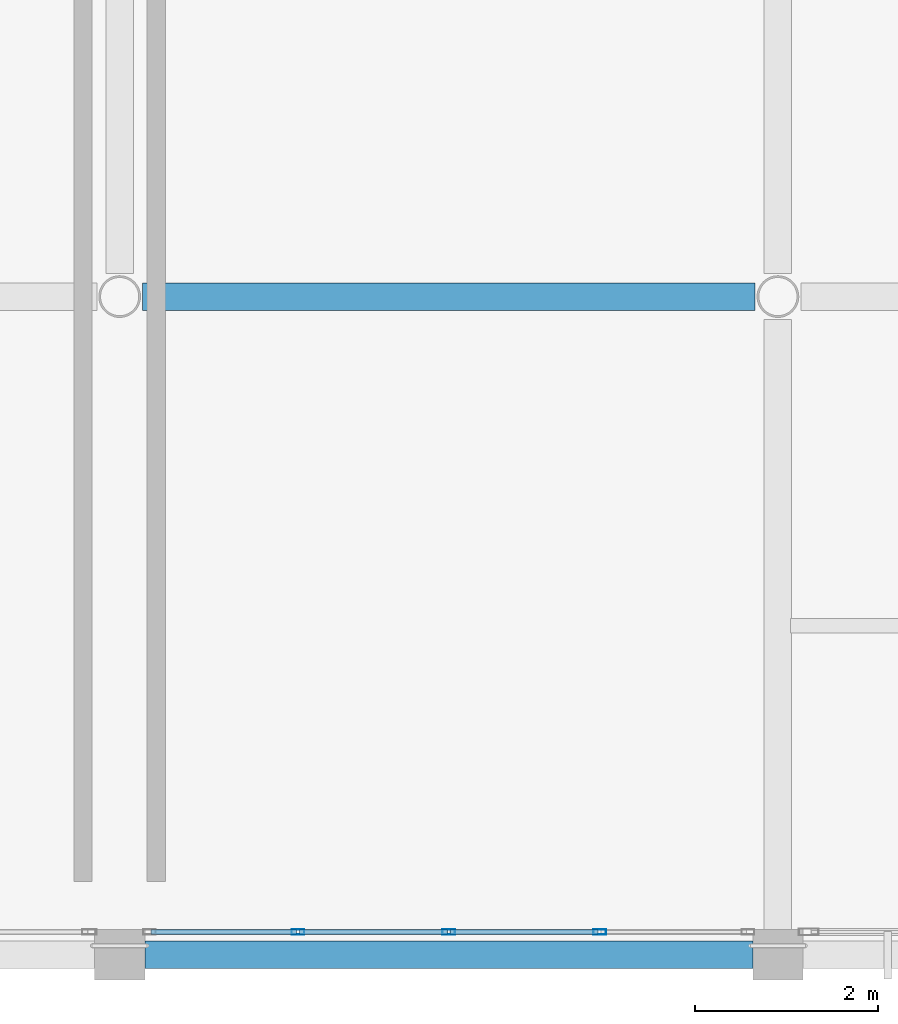
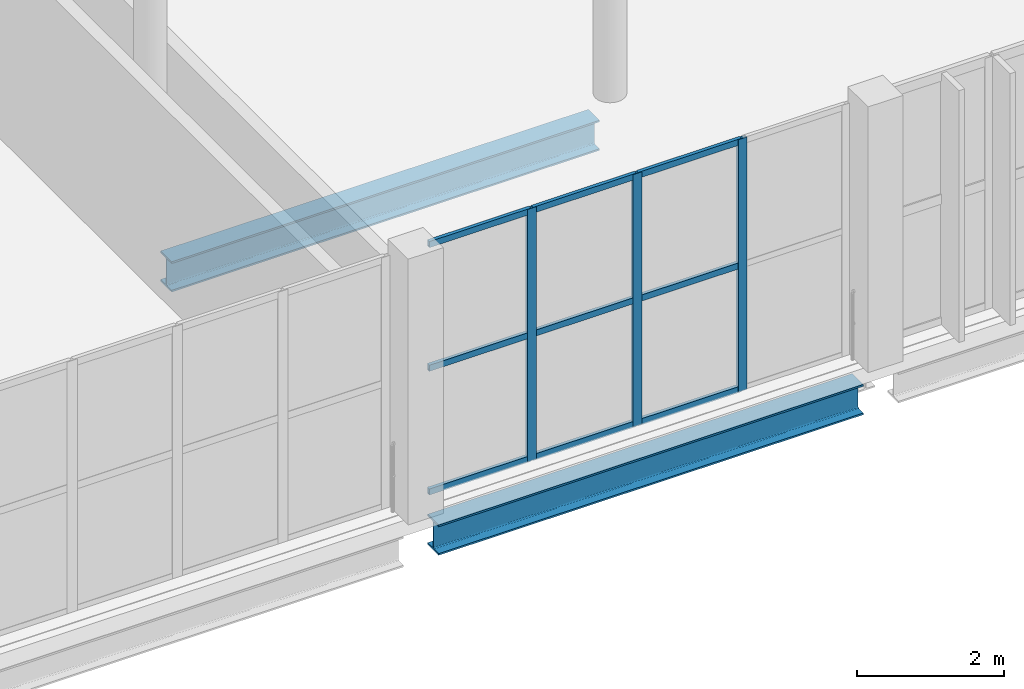
# One storey, part 20 of 81: 12 members, 2 beams, 1 element without a shape of its own.
"""IFC4 building model written with IfcOpenShell, lengths in metres."""

from ifc_helpers import new_model, si_unit, direction, frame, origin, origin_2d, place, context, subcontext, project, spatial, hollow_rectangle, i_section, extrude, material, material_profile, profile_set, type_object, element, aggregate, save


model = new_model("IFC4")

# Units and contexts
model_context = context("Model", 3, precision=1e-05, world=origin(), true_north=direction((0.0, 1.0)))
body_context = subcontext(model_context, "Body", "Model", "MODEL_VIEW")
ifc_project = project(units=[si_unit("LENGTHUNIT", "METRE"), si_unit("AREAUNIT", "SQUARE_METRE"), si_unit("VOLUMEUNIT", "CUBIC_METRE"), si_unit("PLANEANGLEUNIT", "RADIAN"), si_unit("MASSUNIT", "GRAM", prefix="KILO")], contexts=[model_context])

# Site, building, storey
site_placement = place(None, origin())
site = spatial("IfcSite", under=ifc_project, at=site_placement, CompositionType="ELEMENT")
building_placement = place(site_placement, origin())
building = spatial("IfcBuilding", under=site, at=building_placement, Name="Qandorah Velis Arena", CompositionType="ELEMENT")
storey_placement = place(building_placement, frame((0.0, 0.0, 18.60009765625)))
storey = spatial("IfcBuildingStorey", under=building, at=storey_placement, Name="L04", CompositionType="ELEMENT", Elevation=18.60009765625)

# Curtain wall, members
ifc_material_1 = material(Name="Solar-control low-E double glazing", Category="glass")
curtain_wall_type = type_object("IfcCurtainWallType", Name="ARC-CW-SYS04", PredefinedType="USERDEFINED", material=ifc_material_1)
curtain_wall_placement = place(storey_placement, origin())
curtain_wall = element("IfcCurtainWall", 1, at=curtain_wall_placement, inside=storey, type_object=curtain_wall_type, Name="Unitised curtain wall L04-076", ObjectType="UNITISED CURTAIN WALL", PredefinedType="USERDEFINED")
ifc_material_2 = material(Name="Champagne-bronze anodized aluminium 6063-T6", Category="aluminium")
ifc_material_profile_1 = material_profile(ifc_material_2, hollow_rectangle(XDim=0.054931640625, YDim=0.139892578125, WallThickness=0.0029296875, at=origin_2d()), Name="ALU MULLION 55x140")
ifc_profile_set_1 = profile_set([ifc_material_profile_1], Name="Champagne-bronze anodized aluminium 6063-T6")
member_type_1 = type_object("IfcMemberType", Name="ARC-CWM-140", PredefinedType="MULLION", material=ifc_profile_set_1)
member_1_placement = place(storey_placement, frame((59.550048828125, 0.25, -0.01513671875), z_axis=(0.0, 0.0, 1.0), x_axis=(0.0, 1.0, 0.0)))
member_1 = element("IfcMember", 2, at=member_1_placement, type_object=member_type_1, Name="CW04 mullion 2", PredefinedType="MULLION", context=body_context, shape_type="SweptSolid", body=[
    extrude(hollow_rectangle(XDim=0.054931640625, YDim=0.139892578125, WallThickness=0.0029296875, at=origin_2d()), origin(), (0.0, 0.0, 1.0), 4.179931640625),
])
member_2_placement = place(storey_placement, frame((61.199951171875, 0.25, -0.01513671875), z_axis=(0.0, 0.0, 1.0), x_axis=(0.0, 1.0, 0.0)))
member_2 = element("IfcMember", 3, at=member_2_placement, type_object=member_type_1, Name="CW04 mullion 3", PredefinedType="MULLION", context=body_context, shape_type="SweptSolid", body=[
    extrude(hollow_rectangle(XDim=0.054931640625, YDim=0.139892578125, WallThickness=0.0029296875, at=origin_2d()), origin(), (0.0, 0.0, 1.0), 4.179931640625),
])
member_3_placement = place(storey_placement, frame((62.85009765625, 0.25, -0.01513671875), z_axis=(0.0, 0.0, 1.0), x_axis=(0.0, 1.0, 0.0)))
member_3 = element("IfcMember", 4, at=member_3_placement, type_object=member_type_1, Name="CW04 mullion 4", PredefinedType="MULLION", context=body_context, shape_type="SweptSolid", body=[
    extrude(hollow_rectangle(XDim=0.054931640625, YDim=0.139892578125, WallThickness=0.0029296875, at=origin_2d()), origin(), (0.0, 0.0, 1.0), 4.179931640625),
])
ifc_material_profile_2 = material_profile(ifc_material_2, hollow_rectangle(XDim=0.054931640625, YDim=0.10009765625, WallThickness=0.0029296875, at=origin_2d()), Name="ALU TRANSOM 55x100")
ifc_profile_set_2 = profile_set([ifc_material_profile_2], Name="Champagne-bronze anodized aluminium 6063-T6")
member_type_2 = type_object("IfcMemberType", Name="ARC-CWT-100", PredefinedType="USERDEFINED", material=ifc_profile_set_2)
member_4_placement = place(storey_placement, frame((57.943115234375, 0.25, 0.02734375), z_axis=(1.0, 0.0, 0.0), x_axis=(0.0, 1.0, 0.0)))
member_4 = element("IfcMember", 5, at=member_4_placement, type_object=member_type_2, Name="CW04 transom 1.1", ObjectType="TRANSOM", PredefinedType="USERDEFINED", context=body_context, shape_type="SweptSolid", body=[
    extrude(hollow_rectangle(XDim=0.054931640625, YDim=0.10009765625, WallThickness=0.0029296875, at=origin_2d()), origin(), (0.0, 0.0, 1.0), 1.59130859375),
])
member_5_placement = place(storey_placement, frame((57.943115234375, 0.25, 2.074951171875), z_axis=(1.0, 0.0, 0.0), x_axis=(0.0, 1.0, 0.0)))
member_5 = element("IfcMember", 6, at=member_5_placement, type_object=member_type_2, Name="CW04 transom 1.2", ObjectType="TRANSOM", PredefinedType="USERDEFINED", context=body_context, shape_type="SweptSolid", body=[
    extrude(hollow_rectangle(XDim=0.054931640625, YDim=0.10009765625, WallThickness=0.0029296875, at=origin_2d()), origin(), (0.0, 0.0, 1.0), 1.59130859375),
])
member_6_placement = place(storey_placement, frame((57.943115234375, 0.25, 4.122314453125), z_axis=(1.0, 0.0, 0.0), x_axis=(0.0, 1.0, 0.0)))
member_6 = element("IfcMember", 7, at=member_6_placement, type_object=member_type_2, Name="CW04 transom 1.3", ObjectType="TRANSOM", PredefinedType="USERDEFINED", context=body_context, shape_type="SweptSolid", body=[
    extrude(hollow_rectangle(XDim=0.054931640625, YDim=0.10009765625, WallThickness=0.0029296875, at=origin_2d()), origin(), (0.0, 0.0, 1.0), 1.59130859375),
])
member_7_placement = place(storey_placement, frame((59.5654296875, 0.25, 0.02734375), z_axis=(1.0, 0.0, 0.0), x_axis=(0.0, 1.0, 0.0)))
member_7 = element("IfcMember", 8, at=member_7_placement, type_object=member_type_2, Name="CW04 transom 2.1", ObjectType="TRANSOM", PredefinedType="USERDEFINED", context=body_context, shape_type="SweptSolid", body=[
    extrude(hollow_rectangle(XDim=0.054931640625, YDim=0.10009765625, WallThickness=0.0029296875, at=origin_2d()), origin(), (0.0, 0.0, 1.0), 1.619140625),
])
member_8_placement = place(storey_placement, frame((59.5654296875, 0.25, 2.074951171875), z_axis=(1.0, 0.0, 0.0), x_axis=(0.0, 1.0, 0.0)))
member_8 = element("IfcMember", 9, at=member_8_placement, type_object=member_type_2, Name="CW04 transom 2.2", ObjectType="TRANSOM", PredefinedType="USERDEFINED", context=body_context, shape_type="SweptSolid", body=[
    extrude(hollow_rectangle(XDim=0.054931640625, YDim=0.10009765625, WallThickness=0.0029296875, at=origin_2d()), origin(), (0.0, 0.0, 1.0), 1.619140625),
])
member_9_placement = place(storey_placement, frame((59.5654296875, 0.25, 4.122314453125), z_axis=(1.0, 0.0, 0.0), x_axis=(0.0, 1.0, 0.0)))
member_9 = element("IfcMember", 10, at=member_9_placement, type_object=member_type_2, Name="CW04 transom 2.3", ObjectType="TRANSOM", PredefinedType="USERDEFINED", context=body_context, shape_type="SweptSolid", body=[
    extrude(hollow_rectangle(XDim=0.054931640625, YDim=0.10009765625, WallThickness=0.0029296875, at=origin_2d()), origin(), (0.0, 0.0, 1.0), 1.619140625),
])
member_10_placement = place(storey_placement, frame((61.215576171875, 0.25, 0.02734375), z_axis=(1.0, 0.0, 0.0), x_axis=(0.0, 1.0, 0.0)))
member_10 = element("IfcMember", 11, at=member_10_placement, type_object=member_type_2, Name="CW04 transom 3.1", ObjectType="TRANSOM", PredefinedType="USERDEFINED", context=body_context, shape_type="SweptSolid", body=[
    extrude(hollow_rectangle(XDim=0.054931640625, YDim=0.10009765625, WallThickness=0.0029296875, at=origin_2d()), origin(), (0.0, 0.0, 1.0), 1.618896484375),
])
member_11_placement = place(storey_placement, frame((61.215576171875, 0.25, 2.074951171875), z_axis=(1.0, 0.0, 0.0), x_axis=(0.0, 1.0, 0.0)))
member_11 = element("IfcMember", 12, at=member_11_placement, type_object=member_type_2, Name="CW04 transom 3.2", ObjectType="TRANSOM", PredefinedType="USERDEFINED", context=body_context, shape_type="SweptSolid", body=[
    extrude(hollow_rectangle(XDim=0.054931640625, YDim=0.10009765625, WallThickness=0.0029296875, at=origin_2d()), origin(), (0.0, 0.0, 1.0), 1.618896484375),
])
member_12_placement = place(storey_placement, frame((61.215576171875, 0.25, 4.122314453125), z_axis=(1.0, 0.0, 0.0), x_axis=(0.0, 1.0, 0.0)))
member_12 = element("IfcMember", 13, at=member_12_placement, type_object=member_type_2, Name="CW04 transom 3.3", ObjectType="TRANSOM", PredefinedType="USERDEFINED", context=body_context, shape_type="SweptSolid", body=[
    extrude(hollow_rectangle(XDim=0.054931640625, YDim=0.10009765625, WallThickness=0.0029296875, at=origin_2d()), origin(), (0.0, 0.0, 1.0), 1.618896484375),
])
aggregate(curtain_wall, [member_1, member_2, member_3, member_4, member_5, member_6, member_7, member_8, member_9, member_10, member_11, member_12])

# Beams
ifc_material_3 = material(Name="Steel S355", Category="steel")
ifc_material_profile_3 = material_profile(ifc_material_3, i_section(OverallWidth=0.300048828125, OverallDepth=0.5, WebThickness=0.014404296875, FlangeThickness=0.028076171875, FilletRadius=0.027099609375, at=origin_2d()), Name="HEB 500")
ifc_profile_set_3 = profile_set([ifc_material_profile_3], Name="Steel S355")
beam_type = type_object("IfcBeamType", Name="STR-BM-HEB500", PredefinedType="BEAM", material=ifc_profile_set_3)
beam_1_placement = place(storey_placement, frame((57.875, 0.0, -0.52001953125), z_axis=(1.0, 0.0, 0.0), x_axis=(0.0, 1.0, 0.0)))
element("IfcBeam", 14, at=beam_1_placement, inside=storey, type_object=beam_type, Name="Primary floor girder L04 X-005", PredefinedType="BEAM", context=body_context, shape_type="SweptSolid", body=[
    extrude(i_section(OverallWidth=0.300048828125, OverallDepth=0.5, WebThickness=0.014404296875, FlangeThickness=0.028076171875, FilletRadius=0.027099609375, at=origin_2d()), origin(), (0.0, 0.0, 1.0), 6.64990234375),
])
beam_2_placement = place(storey_placement, frame((57.85009765625, 7.199951171875, -0.52001953125), z_axis=(1.0, 0.0, 0.0), x_axis=(0.0, 1.0, 0.0)))
element("IfcBeam", 15, at=beam_2_placement, inside=storey, type_object=beam_type, Name="Primary floor girder L04 X-017", PredefinedType="BEAM", context=body_context, shape_type="SweptSolid", body=[
    extrude(i_section(OverallWidth=0.300048828125, OverallDepth=0.5, WebThickness=0.014404296875, FlangeThickness=0.028076171875, FilletRadius=0.027099609375, at=origin_2d()), origin(), (0.0, 0.0, 1.0), 6.699951171875),
])

save(model, "model.ifc")
